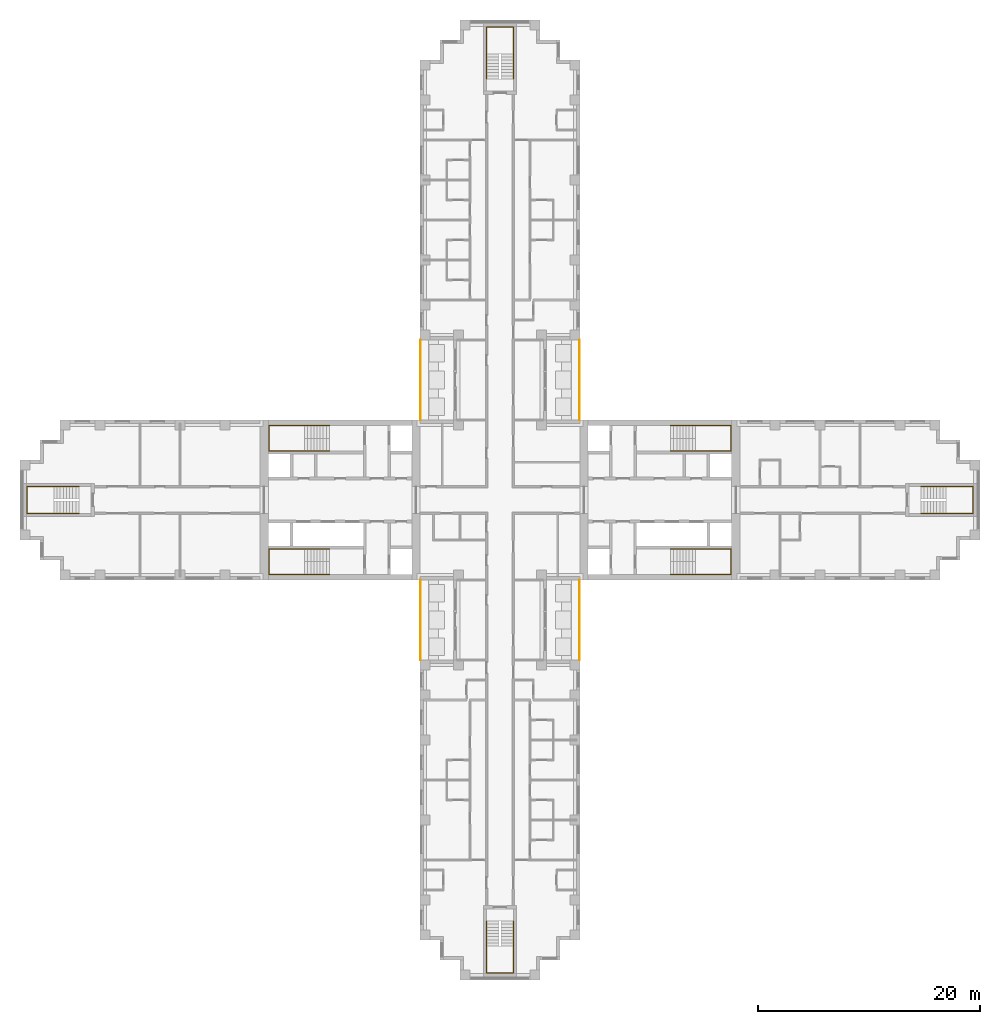
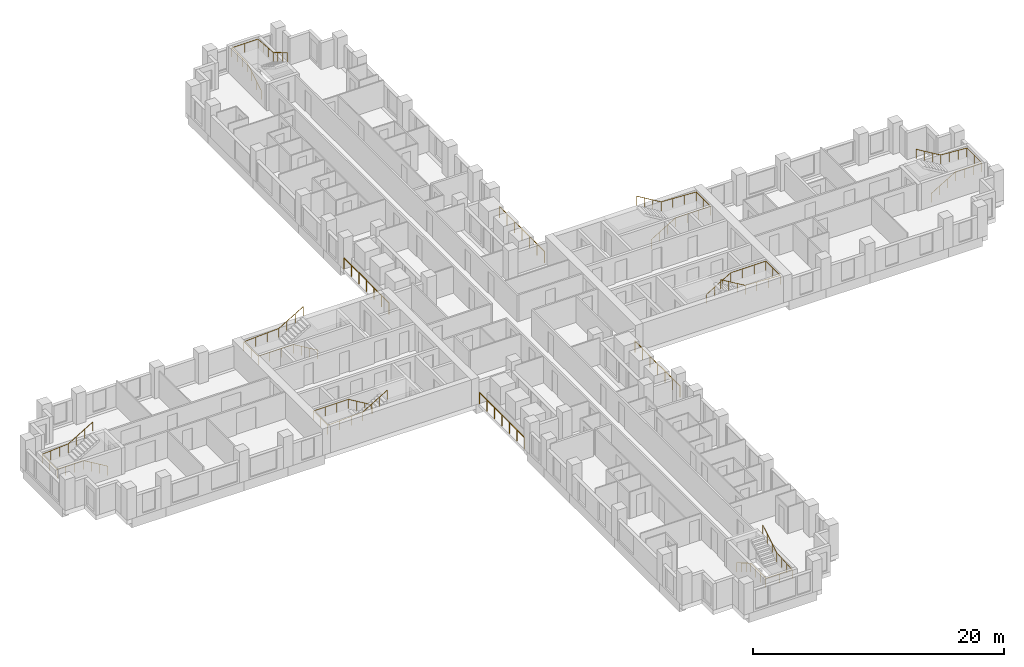
# One storey, part 14 of 15: 12 railings.
"""IFC4 building model written with IfcOpenShell, lengths in metres."""

from ifc_helpers import new_model, si_unit, direction, frame, origin, origin_2d, place, context, subcontext, project, spatial, circle, extrude, material, type_object, element, save


model = new_model("IFC4")

# Units and contexts
model_context = context("Model", 3, precision=1e-05, world=origin(), true_north=direction((0.0, 1.0)))
body_context = subcontext(model_context, "Body", "Model", "MODEL_VIEW")
ifc_project = project(units=[si_unit("LENGTHUNIT", "METRE"), si_unit("AREAUNIT", "SQUARE_METRE"), si_unit("VOLUMEUNIT", "CUBIC_METRE"), si_unit("PLANEANGLEUNIT", "RADIAN"), si_unit("MASSUNIT", "GRAM", prefix="KILO")], contexts=[model_context])

# Site, building, storey
site_placement = place(None, origin())
site = spatial("IfcSite", under=ifc_project, at=site_placement, CompositionType="ELEMENT")
building_placement = place(site_placement, origin())
building = spatial("IfcBuilding", under=site, at=building_placement, Name="Fustian Cross Tower", CompositionType="ELEMENT")
storey_placement = place(building_placement, frame((0.0, 0.0, 29.699951171875)))
storey = spatial("IfcBuildingStorey", under=building, at=storey_placement, Name="L08", CompositionType="ELEMENT", Elevation=29.699951171875)

# Railings
ifc_material_1 = material(Name="Stainless steel and glass", Category="steel")
railing_type_1 = type_object("IfcRailingType", Name="GR1 BALCONY GUARD 1100", PredefinedType="GUARDRAIL", material=ifc_material_1)
for number, where, name in (
    (1, (7.14990234375, 7.199951171875, 0.0), "Balcony guard"),
    (2, (-7.14990234375, 7.199951171875, 0.0), "Balcony guard"),
    (3, (7.14990234375, -14.39990234375, 0.0), "Balcony guard"),
    (4, (-7.14990234375, -14.39990234375, 0.0), "Balcony guard"),
):
    element("IfcRailing", number, at=place(storey_placement, frame(where)), inside=storey, type_object=railing_type_1, Name=name, PredefinedType="GUARDRAIL", context=body_context, shape_type="SweptSolid", body=[
        extrude(circle(Radius=0.02392578125, at=origin_2d()), frame((0.0, 0.0, 1.076171875), z_axis=(0.0, 1.0, 0.0), x_axis=(-1.0, 0.0, 0.0)), (0.0, 0.0, 1.0), 7.199951171875),
        extrude(circle(Radius=0.02099609375, at=origin_2d()), origin(), (0.0, 0.0, 1.0), 1.052001953125),
        extrude(circle(Radius=0.02099609375, at=origin_2d()), frame((0.0, 1.199951171875, 0.0)), (0.0, 0.0, 1.0), 1.052001953125),
        extrude(circle(Radius=0.02099609375, at=origin_2d()), frame((0.0, 2.39990234375, 0.0)), (0.0, 0.0, 1.0), 1.052001953125),
        extrude(circle(Radius=0.02099609375, at=origin_2d()), frame((0.0, 3.60009765625, 0.0)), (0.0, 0.0, 1.0), 1.052001953125),
        extrude(circle(Radius=0.02099609375, at=origin_2d()), frame((0.0, 4.800048828125, 0.0)), (0.0, 0.0, 1.0), 1.052001953125),
        extrude(circle(Radius=0.02099609375, at=origin_2d()), frame((0.0, 6.0, 0.0)), (0.0, 0.0, 1.0), 1.052001953125),
        extrude(circle(Radius=0.02099609375, at=origin_2d()), frame((0.0, 7.199951171875, 0.0)), (0.0, 0.0, 1.0), 1.052001953125),
    ])
ifc_material_2 = material(Name="Stainless steel", Category="steel")
railing_type_2 = type_object("IfcRailingType", Name="STAIR HANDRAIL", PredefinedType="HANDRAIL", material=ifc_material_2)
railing_1_placement = place(storey_placement, frame((15.35009765625, 4.39990234375, 0.166748046875)))
element("IfcRailing", 5, at=railing_1_placement, inside=storey, type_object=railing_type_2, Name="Stair ST1 handrail 1", PredefinedType="HANDRAIL", context=body_context, shape_type="SweptSolid", body=[
    extrude(circle(Radius=0.02490234375, at=origin_2d()), frame((0.0, 0.0, 0.875), z_axis=(0.859305625298, 0.0, 0.511462454469), x_axis=(0.0, 1.0, 0.0)), (0.0, 0.0, 1.0), 2.606689453125),
    extrude(circle(Radius=0.02490234375, at=origin_2d()), frame((2.239990234375, 0.0, 2.2080078125), z_axis=(1.0, 0.0, 0.0), x_axis=(0.0, 1.0, 0.0)), (0.0, 0.0, 1.0), 3.219970703125),
    extrude(circle(Radius=0.02490234375, at=origin_2d()), frame((5.4599609375, 0.0, 2.2080078125), z_axis=(0.0, 1.0, 0.0), x_axis=(-1.0, 0.0, 0.0)), (0.0, 0.0, 1.0), 2.300048828125),
    extrude(circle(Radius=0.02490234375, at=origin_2d()), frame((5.4599609375, 2.300048828125, 2.2080078125), z_axis=(-0.998661817807, 0.0, 0.051716280352), x_axis=(0.0, -1.0, 0.0)), (0.0, 0.0, 1.0), 3.224365234375),
    extrude(circle(Radius=0.02490234375, at=origin_2d()), frame((2.239990234375, 2.300048828125, 2.375), z_axis=(-0.859305625298, 0.0, 0.511462454469), x_axis=(0.0, -1.0, 0.0)), (0.0, 0.0, 1.0), 2.606689453125),
    extrude(circle(Radius=0.02001953125, at=origin_2d()), origin(), (0.0, 0.0, 1.0), 0.849853515625),
    extrude(circle(Radius=0.02001953125, at=origin_2d()), frame((0.74658203125, 0.0, 0.4443359375)), (0.0, 0.0, 1.0), 0.849853515625),
    extrude(circle(Radius=0.02001953125, at=origin_2d()), frame((1.493408203125, 0.0, 0.888916015625)), (0.0, 0.0, 1.0), 0.849853515625),
    extrude(circle(Radius=0.02001953125, at=origin_2d()), frame((2.239990234375, 0.0, 1.333251953125)), (0.0, 0.0, 1.0), 0.849853515625),
    extrude(circle(Radius=0.02001953125, at=origin_2d()), frame((3.313232421875, 0.0, 1.333251953125)), (0.0, 0.0, 1.0), 0.849853515625),
    extrude(circle(Radius=0.02001953125, at=origin_2d()), frame((4.38671875, 0.0, 1.333251953125)), (0.0, 0.0, 1.0), 0.849853515625),
    extrude(circle(Radius=0.02001953125, at=origin_2d()), frame((5.4599609375, 0.0, 1.333251953125)), (0.0, 0.0, 1.0), 0.849853515625),
    extrude(circle(Radius=0.02001953125, at=origin_2d()), frame((5.4599609375, 1.14990234375, 1.333251953125)), (0.0, 0.0, 1.0), 0.849853515625),
    extrude(circle(Radius=0.02001953125, at=origin_2d()), frame((5.4599609375, 2.300048828125, 1.333251953125)), (0.0, 0.0, 1.0), 0.849853515625),
    extrude(circle(Radius=0.02001953125, at=origin_2d()), frame((4.38671875, 2.300048828125, 1.388916015625)), (0.0, 0.0, 1.0), 0.849853515625),
    extrude(circle(Radius=0.02001953125, at=origin_2d()), frame((3.313232421875, 2.300048828125, 1.4443359375)), (0.0, 0.0, 1.0), 0.849853515625),
    extrude(circle(Radius=0.02001953125, at=origin_2d()), frame((2.239990234375, 2.300048828125, 1.5)), (0.0, 0.0, 1.0), 0.849853515625),
    extrude(circle(Radius=0.02001953125, at=origin_2d()), frame((1.493408203125, 2.300048828125, 1.9443359375)), (0.0, 0.0, 1.0), 0.849853515625),
    extrude(circle(Radius=0.02001953125, at=origin_2d()), frame((0.74658203125, 2.300048828125, 2.388916015625)), (0.0, 0.0, 1.0), 0.849853515625),
    extrude(circle(Radius=0.02001953125, at=origin_2d()), frame((0.0, 2.300048828125, 2.833251953125)), (0.0, 0.0, 1.0), 0.849853515625),
])
railing_2_placement = place(storey_placement, frame((15.35009765625, -4.39990234375, 0.166748046875)))
element("IfcRailing", 6, at=railing_2_placement, inside=storey, type_object=railing_type_2, Name="Stair ST2 handrail 1", PredefinedType="HANDRAIL", context=body_context, shape_type="SweptSolid", body=[
    extrude(circle(Radius=0.02490234375, at=origin_2d()), frame((0.0, 0.0, 0.875), z_axis=(0.859305625298, 0.0, 0.511462454469), x_axis=(0.0, 1.0, 0.0)), (0.0, 0.0, 1.0), 2.606689453125),
    extrude(circle(Radius=0.02490234375, at=origin_2d()), frame((2.239990234375, 0.0, 2.2080078125), z_axis=(1.0, 0.0, 0.0), x_axis=(0.0, 1.0, 0.0)), (0.0, 0.0, 1.0), 3.219970703125),
    extrude(circle(Radius=0.02490234375, at=origin_2d()), frame((5.4599609375, 0.0, 2.2080078125), z_axis=(0.0, -1.0, 0.0), x_axis=(1.0, 0.0, 0.0)), (0.0, 0.0, 1.0), 2.300048828125),
    extrude(circle(Radius=0.02490234375, at=origin_2d()), frame((5.4599609375, -2.300048828125, 2.2080078125), z_axis=(-0.998661817807, 0.0, 0.051716280352), x_axis=(0.0, -1.0, 0.0)), (0.0, 0.0, 1.0), 3.224365234375),
    extrude(circle(Radius=0.02490234375, at=origin_2d()), frame((2.239990234375, -2.300048828125, 2.375), z_axis=(-0.859305625298, 0.0, 0.511462454469), x_axis=(0.0, -1.0, 0.0)), (0.0, 0.0, 1.0), 2.606689453125),
    extrude(circle(Radius=0.02001953125, at=origin_2d()), origin(), (0.0, 0.0, 1.0), 0.849853515625),
    extrude(circle(Radius=0.02001953125, at=origin_2d()), frame((0.74658203125, 0.0, 0.4443359375)), (0.0, 0.0, 1.0), 0.849853515625),
    extrude(circle(Radius=0.02001953125, at=origin_2d()), frame((1.493408203125, 0.0, 0.888916015625)), (0.0, 0.0, 1.0), 0.849853515625),
    extrude(circle(Radius=0.02001953125, at=origin_2d()), frame((2.239990234375, 0.0, 1.333251953125)), (0.0, 0.0, 1.0), 0.849853515625),
    extrude(circle(Radius=0.02001953125, at=origin_2d()), frame((3.313232421875, 0.0, 1.333251953125)), (0.0, 0.0, 1.0), 0.849853515625),
    extrude(circle(Radius=0.02001953125, at=origin_2d()), frame((4.38671875, 0.0, 1.333251953125)), (0.0, 0.0, 1.0), 0.849853515625),
    extrude(circle(Radius=0.02001953125, at=origin_2d()), frame((5.4599609375, 0.0, 1.333251953125)), (0.0, 0.0, 1.0), 0.849853515625),
    extrude(circle(Radius=0.02001953125, at=origin_2d()), frame((5.4599609375, -1.14990234375, 1.333251953125)), (0.0, 0.0, 1.0), 0.849853515625),
    extrude(circle(Radius=0.02001953125, at=origin_2d()), frame((5.4599609375, -2.300048828125, 1.333251953125)), (0.0, 0.0, 1.0), 0.849853515625),
    extrude(circle(Radius=0.02001953125, at=origin_2d()), frame((4.38671875, -2.300048828125, 1.388916015625)), (0.0, 0.0, 1.0), 0.849853515625),
    extrude(circle(Radius=0.02001953125, at=origin_2d()), frame((3.313232421875, -2.300048828125, 1.4443359375)), (0.0, 0.0, 1.0), 0.849853515625),
    extrude(circle(Radius=0.02001953125, at=origin_2d()), frame((2.239990234375, -2.300048828125, 1.5)), (0.0, 0.0, 1.0), 0.849853515625),
    extrude(circle(Radius=0.02001953125, at=origin_2d()), frame((1.493408203125, -2.300048828125, 1.9443359375)), (0.0, 0.0, 1.0), 0.849853515625),
    extrude(circle(Radius=0.02001953125, at=origin_2d()), frame((0.74658203125, -2.300048828125, 2.388916015625)), (0.0, 0.0, 1.0), 0.849853515625),
    extrude(circle(Radius=0.02001953125, at=origin_2d()), frame((0.0, -2.300048828125, 2.833251953125)), (0.0, 0.0, 1.0), 0.849853515625),
])
railing_3_placement = place(storey_placement, frame((-15.35009765625, 4.39990234375, 0.166748046875)))
element("IfcRailing", 7, at=railing_3_placement, inside=storey, type_object=railing_type_2, Name="Stair ST3 handrail 1", PredefinedType="HANDRAIL", context=body_context, shape_type="SweptSolid", body=[
    extrude(circle(Radius=0.02490234375, at=origin_2d()), frame((0.0, 0.0, 0.875), z_axis=(-0.859305625298, 0.0, 0.511462454469), x_axis=(0.0, -1.0, 0.0)), (0.0, 0.0, 1.0), 2.606689453125),
    extrude(circle(Radius=0.02490234375, at=origin_2d()), frame((-2.239990234375, 0.0, 2.2080078125), z_axis=(-1.0, 0.0, 0.0), x_axis=(0.0, -1.0, 0.0)), (0.0, 0.0, 1.0), 3.219970703125),
    extrude(circle(Radius=0.02490234375, at=origin_2d()), frame((-5.4599609375, 0.0, 2.2080078125), z_axis=(0.0, 1.0, 0.0), x_axis=(-1.0, 0.0, 0.0)), (0.0, 0.0, 1.0), 2.300048828125),
    extrude(circle(Radius=0.02490234375, at=origin_2d()), frame((-5.4599609375, 2.300048828125, 2.2080078125), z_axis=(0.998661817807, 0.0, 0.051716280352), x_axis=(0.0, 1.0, 0.0)), (0.0, 0.0, 1.0), 3.224365234375),
    extrude(circle(Radius=0.02490234375, at=origin_2d()), frame((-2.239990234375, 2.300048828125, 2.375), z_axis=(0.859305625298, 0.0, 0.511462454469), x_axis=(0.0, 1.0, 0.0)), (0.0, 0.0, 1.0), 2.606689453125),
    extrude(circle(Radius=0.02001953125, at=origin_2d()), origin(), (0.0, 0.0, 1.0), 0.849853515625),
    extrude(circle(Radius=0.02001953125, at=origin_2d()), frame((-0.74658203125, 0.0, 0.4443359375)), (0.0, 0.0, 1.0), 0.849853515625),
    extrude(circle(Radius=0.02001953125, at=origin_2d()), frame((-1.493408203125, 0.0, 0.888916015625)), (0.0, 0.0, 1.0), 0.849853515625),
    extrude(circle(Radius=0.02001953125, at=origin_2d()), frame((-2.239990234375, 0.0, 1.333251953125)), (0.0, 0.0, 1.0), 0.849853515625),
    extrude(circle(Radius=0.02001953125, at=origin_2d()), frame((-3.313232421875, 0.0, 1.333251953125)), (0.0, 0.0, 1.0), 0.849853515625),
    extrude(circle(Radius=0.02001953125, at=origin_2d()), frame((-4.38671875, 0.0, 1.333251953125)), (0.0, 0.0, 1.0), 0.849853515625),
    extrude(circle(Radius=0.02001953125, at=origin_2d()), frame((-5.4599609375, 0.0, 1.333251953125)), (0.0, 0.0, 1.0), 0.849853515625),
    extrude(circle(Radius=0.02001953125, at=origin_2d()), frame((-5.4599609375, 1.14990234375, 1.333251953125)), (0.0, 0.0, 1.0), 0.849853515625),
    extrude(circle(Radius=0.02001953125, at=origin_2d()), frame((-5.4599609375, 2.300048828125, 1.333251953125)), (0.0, 0.0, 1.0), 0.849853515625),
    extrude(circle(Radius=0.02001953125, at=origin_2d()), frame((-4.38671875, 2.300048828125, 1.388916015625)), (0.0, 0.0, 1.0), 0.849853515625),
    extrude(circle(Radius=0.02001953125, at=origin_2d()), frame((-3.313232421875, 2.300048828125, 1.4443359375)), (0.0, 0.0, 1.0), 0.849853515625),
    extrude(circle(Radius=0.02001953125, at=origin_2d()), frame((-2.239990234375, 2.300048828125, 1.5)), (0.0, 0.0, 1.0), 0.849853515625),
    extrude(circle(Radius=0.02001953125, at=origin_2d()), frame((-1.493408203125, 2.300048828125, 1.9443359375)), (0.0, 0.0, 1.0), 0.849853515625),
    extrude(circle(Radius=0.02001953125, at=origin_2d()), frame((-0.74658203125, 2.300048828125, 2.388916015625)), (0.0, 0.0, 1.0), 0.849853515625),
    extrude(circle(Radius=0.02001953125, at=origin_2d()), frame((0.0, 2.300048828125, 2.833251953125)), (0.0, 0.0, 1.0), 0.849853515625),
])
railing_4_placement = place(storey_placement, frame((-15.35009765625, -4.39990234375, 0.166748046875)))
element("IfcRailing", 8, at=railing_4_placement, inside=storey, type_object=railing_type_2, Name="Stair ST4 handrail 1", PredefinedType="HANDRAIL", context=body_context, shape_type="SweptSolid", body=[
    extrude(circle(Radius=0.02490234375, at=origin_2d()), frame((0.0, 0.0, 0.875), z_axis=(-0.859305625298, 0.0, 0.511462454469), x_axis=(0.0, -1.0, 0.0)), (0.0, 0.0, 1.0), 2.606689453125),
    extrude(circle(Radius=0.02490234375, at=origin_2d()), frame((-2.239990234375, 0.0, 2.2080078125), z_axis=(-1.0, 0.0, 0.0), x_axis=(0.0, -1.0, 0.0)), (0.0, 0.0, 1.0), 3.219970703125),
    extrude(circle(Radius=0.02490234375, at=origin_2d()), frame((-5.4599609375, 0.0, 2.2080078125), z_axis=(0.0, -1.0, 0.0), x_axis=(1.0, 0.0, 0.0)), (0.0, 0.0, 1.0), 2.300048828125),
    extrude(circle(Radius=0.02490234375, at=origin_2d()), frame((-5.4599609375, -2.300048828125, 2.2080078125), z_axis=(0.998661817807, 0.0, 0.051716280352), x_axis=(0.0, 1.0, 0.0)), (0.0, 0.0, 1.0), 3.224365234375),
    extrude(circle(Radius=0.02490234375, at=origin_2d()), frame((-2.239990234375, -2.300048828125, 2.375), z_axis=(0.859305625298, 0.0, 0.511462454469), x_axis=(0.0, 1.0, 0.0)), (0.0, 0.0, 1.0), 2.606689453125),
    extrude(circle(Radius=0.02001953125, at=origin_2d()), origin(), (0.0, 0.0, 1.0), 0.849853515625),
    extrude(circle(Radius=0.02001953125, at=origin_2d()), frame((-0.74658203125, 0.0, 0.4443359375)), (0.0, 0.0, 1.0), 0.849853515625),
    extrude(circle(Radius=0.02001953125, at=origin_2d()), frame((-1.493408203125, 0.0, 0.888916015625)), (0.0, 0.0, 1.0), 0.849853515625),
    extrude(circle(Radius=0.02001953125, at=origin_2d()), frame((-2.239990234375, 0.0, 1.333251953125)), (0.0, 0.0, 1.0), 0.849853515625),
    extrude(circle(Radius=0.02001953125, at=origin_2d()), frame((-3.313232421875, 0.0, 1.333251953125)), (0.0, 0.0, 1.0), 0.849853515625),
    extrude(circle(Radius=0.02001953125, at=origin_2d()), frame((-4.38671875, 0.0, 1.333251953125)), (0.0, 0.0, 1.0), 0.849853515625),
    extrude(circle(Radius=0.02001953125, at=origin_2d()), frame((-5.4599609375, 0.0, 1.333251953125)), (0.0, 0.0, 1.0), 0.849853515625),
    extrude(circle(Radius=0.02001953125, at=origin_2d()), frame((-5.4599609375, -1.14990234375, 1.333251953125)), (0.0, 0.0, 1.0), 0.849853515625),
    extrude(circle(Radius=0.02001953125, at=origin_2d()), frame((-5.4599609375, -2.300048828125, 1.333251953125)), (0.0, 0.0, 1.0), 0.849853515625),
    extrude(circle(Radius=0.02001953125, at=origin_2d()), frame((-4.38671875, -2.300048828125, 1.388916015625)), (0.0, 0.0, 1.0), 0.849853515625),
    extrude(circle(Radius=0.02001953125, at=origin_2d()), frame((-3.313232421875, -2.300048828125, 1.4443359375)), (0.0, 0.0, 1.0), 0.849853515625),
    extrude(circle(Radius=0.02001953125, at=origin_2d()), frame((-2.239990234375, -2.300048828125, 1.5)), (0.0, 0.0, 1.0), 0.849853515625),
    extrude(circle(Radius=0.02001953125, at=origin_2d()), frame((-1.493408203125, -2.300048828125, 1.9443359375)), (0.0, 0.0, 1.0), 0.849853515625),
    extrude(circle(Radius=0.02001953125, at=origin_2d()), frame((-0.74658203125, -2.300048828125, 2.388916015625)), (0.0, 0.0, 1.0), 0.849853515625),
    extrude(circle(Radius=0.02001953125, at=origin_2d()), frame((0.0, -2.300048828125, 2.833251953125)), (0.0, 0.0, 1.0), 0.849853515625),
])
railing_5_placement = place(storey_placement, frame((-1.199951171875, 37.89990234375, 0.166748046875)))
element("IfcRailing", 9, at=railing_5_placement, inside=storey, type_object=railing_type_2, Name="Stair ST5 handrail 1", PredefinedType="HANDRAIL", context=body_context, shape_type="SweptSolid", body=[
    extrude(circle(Radius=0.02490234375, at=origin_2d()), frame((0.0, 0.0, 0.875), z_axis=(0.0, 0.859305625298, 0.511462454469), x_axis=(-1.0, 0.0, 0.0)), (0.0, 0.0, 1.0), 2.606689453125),
    extrude(circle(Radius=0.02490234375, at=origin_2d()), frame((0.0, 2.239990234375, 2.2080078125), z_axis=(0.0, 1.0, 0.0), x_axis=(-1.0, 0.0, 0.0)), (0.0, 0.0, 1.0), 2.420166015625),
    extrude(circle(Radius=0.02490234375, at=origin_2d()), frame((0.0, 4.66015625, 2.2080078125), z_axis=(1.0, 0.0, 0.0), x_axis=(0.0, 1.0, 0.0)), (0.0, 0.0, 1.0), 2.39990234375),
    extrude(circle(Radius=0.02490234375, at=origin_2d()), frame((2.39990234375, 4.66015625, 2.2080078125), z_axis=(0.0, -0.997634852044, 0.068736467663), x_axis=(1.0, 0.0, 0.0)), (0.0, 0.0, 1.0), 2.426025390625),
    extrude(circle(Radius=0.02490234375, at=origin_2d()), frame((2.39990234375, 2.239990234375, 2.375), z_axis=(0.0, -0.859305625298, 0.511462454469), x_axis=(1.0, 0.0, 0.0)), (0.0, 0.0, 1.0), 2.606689453125),
    extrude(circle(Radius=0.02001953125, at=origin_2d()), origin(), (0.0, 0.0, 1.0), 0.849853515625),
    extrude(circle(Radius=0.02001953125, at=origin_2d()), frame((0.0, 0.74658203125, 0.4443359375)), (0.0, 0.0, 1.0), 0.849853515625),
    extrude(circle(Radius=0.02001953125, at=origin_2d()), frame((0.0, 1.493408203125, 0.888916015625)), (0.0, 0.0, 1.0), 0.849853515625),
    extrude(circle(Radius=0.02001953125, at=origin_2d()), frame((0.0, 2.239990234375, 1.333251953125)), (0.0, 0.0, 1.0), 0.849853515625),
    extrude(circle(Radius=0.02001953125, at=origin_2d()), frame((0.0, 3.046630859375, 1.333251953125)), (0.0, 0.0, 1.0), 0.849853515625),
    extrude(circle(Radius=0.02001953125, at=origin_2d()), frame((0.0, 3.853515625, 1.333251953125)), (0.0, 0.0, 1.0), 0.849853515625),
    extrude(circle(Radius=0.02001953125, at=origin_2d()), frame((0.0, 4.66015625, 1.333251953125)), (0.0, 0.0, 1.0), 0.849853515625),
    extrude(circle(Radius=0.02001953125, at=origin_2d()), frame((1.199951171875, 4.66015625, 1.333251953125)), (0.0, 0.0, 1.0), 0.849853515625),
    extrude(circle(Radius=0.02001953125, at=origin_2d()), frame((2.39990234375, 4.66015625, 1.333251953125)), (0.0, 0.0, 1.0), 0.849853515625),
    extrude(circle(Radius=0.02001953125, at=origin_2d()), frame((2.39990234375, 3.853515625, 1.388916015625)), (0.0, 0.0, 1.0), 0.849853515625),
    extrude(circle(Radius=0.02001953125, at=origin_2d()), frame((2.39990234375, 3.046630859375, 1.4443359375)), (0.0, 0.0, 1.0), 0.849853515625),
    extrude(circle(Radius=0.02001953125, at=origin_2d()), frame((2.39990234375, 2.239990234375, 1.5)), (0.0, 0.0, 1.0), 0.849853515625),
    extrude(circle(Radius=0.02001953125, at=origin_2d()), frame((2.39990234375, 1.493408203125, 1.9443359375)), (0.0, 0.0, 1.0), 0.849853515625),
    extrude(circle(Radius=0.02001953125, at=origin_2d()), frame((2.39990234375, 0.74658203125, 2.388916015625)), (0.0, 0.0, 1.0), 0.849853515625),
    extrude(circle(Radius=0.02001953125, at=origin_2d()), frame((2.39990234375, 0.0, 2.833251953125)), (0.0, 0.0, 1.0), 0.849853515625),
])
railing_6_placement = place(storey_placement, frame((-1.199951171875, -37.89990234375, 0.166748046875)))
element("IfcRailing", 10, at=railing_6_placement, inside=storey, type_object=railing_type_2, Name="Stair ST6 handrail 1", PredefinedType="HANDRAIL", context=body_context, shape_type="SweptSolid", body=[
    extrude(circle(Radius=0.02490234375, at=origin_2d()), frame((0.0, 0.0, 0.875), z_axis=(0.0, -0.859305625298, 0.511462454469), x_axis=(1.0, 0.0, 0.0)), (0.0, 0.0, 1.0), 2.606689453125),
    extrude(circle(Radius=0.02490234375, at=origin_2d()), frame((0.0, -2.239990234375, 2.2080078125), z_axis=(0.0, -1.0, 0.0), x_axis=(1.0, 0.0, 0.0)), (0.0, 0.0, 1.0), 2.420166015625),
    extrude(circle(Radius=0.02490234375, at=origin_2d()), frame((0.0, -4.66015625, 2.2080078125), z_axis=(1.0, 0.0, 0.0), x_axis=(0.0, 1.0, 0.0)), (0.0, 0.0, 1.0), 2.39990234375),
    extrude(circle(Radius=0.02490234375, at=origin_2d()), frame((2.39990234375, -4.66015625, 2.2080078125), z_axis=(0.0, 0.997634852044, 0.068736467663), x_axis=(-1.0, 0.0, 0.0)), (0.0, 0.0, 1.0), 2.426025390625),
    extrude(circle(Radius=0.02490234375, at=origin_2d()), frame((2.39990234375, -2.239990234375, 2.375), z_axis=(0.0, 0.859305625298, 0.511462454469), x_axis=(-1.0, 0.0, 0.0)), (0.0, 0.0, 1.0), 2.606689453125),
    extrude(circle(Radius=0.02001953125, at=origin_2d()), origin(), (0.0, 0.0, 1.0), 0.849853515625),
    extrude(circle(Radius=0.02001953125, at=origin_2d()), frame((0.0, -0.74658203125, 0.4443359375)), (0.0, 0.0, 1.0), 0.849853515625),
    extrude(circle(Radius=0.02001953125, at=origin_2d()), frame((0.0, -1.493408203125, 0.888916015625)), (0.0, 0.0, 1.0), 0.849853515625),
    extrude(circle(Radius=0.02001953125, at=origin_2d()), frame((0.0, -2.239990234375, 1.333251953125)), (0.0, 0.0, 1.0), 0.849853515625),
    extrude(circle(Radius=0.02001953125, at=origin_2d()), frame((0.0, -3.046630859375, 1.333251953125)), (0.0, 0.0, 1.0), 0.849853515625),
    extrude(circle(Radius=0.02001953125, at=origin_2d()), frame((0.0, -3.853515625, 1.333251953125)), (0.0, 0.0, 1.0), 0.849853515625),
    extrude(circle(Radius=0.02001953125, at=origin_2d()), frame((0.0, -4.66015625, 1.333251953125)), (0.0, 0.0, 1.0), 0.849853515625),
    extrude(circle(Radius=0.02001953125, at=origin_2d()), frame((1.199951171875, -4.66015625, 1.333251953125)), (0.0, 0.0, 1.0), 0.849853515625),
    extrude(circle(Radius=0.02001953125, at=origin_2d()), frame((2.39990234375, -4.66015625, 1.333251953125)), (0.0, 0.0, 1.0), 0.849853515625),
    extrude(circle(Radius=0.02001953125, at=origin_2d()), frame((2.39990234375, -3.853515625, 1.388916015625)), (0.0, 0.0, 1.0), 0.849853515625),
    extrude(circle(Radius=0.02001953125, at=origin_2d()), frame((2.39990234375, -3.046630859375, 1.4443359375)), (0.0, 0.0, 1.0), 0.849853515625),
    extrude(circle(Radius=0.02001953125, at=origin_2d()), frame((2.39990234375, -2.239990234375, 1.5)), (0.0, 0.0, 1.0), 0.849853515625),
    extrude(circle(Radius=0.02001953125, at=origin_2d()), frame((2.39990234375, -1.493408203125, 1.9443359375)), (0.0, 0.0, 1.0), 0.849853515625),
    extrude(circle(Radius=0.02001953125, at=origin_2d()), frame((2.39990234375, -0.74658203125, 2.388916015625)), (0.0, 0.0, 1.0), 0.849853515625),
    extrude(circle(Radius=0.02001953125, at=origin_2d()), frame((2.39990234375, 0.0, 2.833251953125)), (0.0, 0.0, 1.0), 0.849853515625),
])
railing_7_placement = place(storey_placement, frame((37.89990234375, -1.199951171875, 0.166748046875)))
element("IfcRailing", 11, at=railing_7_placement, inside=storey, type_object=railing_type_2, Name="Stair ST8 handrail 1", PredefinedType="HANDRAIL", context=body_context, shape_type="SweptSolid", body=[
    extrude(circle(Radius=0.02490234375, at=origin_2d()), frame((0.0, 0.0, 0.875), z_axis=(0.859305625298, 0.0, 0.511462454469), x_axis=(0.0, 1.0, 0.0)), (0.0, 0.0, 1.0), 2.606689453125),
    extrude(circle(Radius=0.02490234375, at=origin_2d()), frame((2.239990234375, 0.0, 2.2080078125), z_axis=(1.0, 0.0, 0.0), x_axis=(0.0, 1.0, 0.0)), (0.0, 0.0, 1.0), 2.420166015625),
    extrude(circle(Radius=0.02490234375, at=origin_2d()), frame((4.66015625, 0.0, 2.2080078125), z_axis=(0.0, 1.0, 0.0), x_axis=(-1.0, 0.0, 0.0)), (0.0, 0.0, 1.0), 2.39990234375),
    extrude(circle(Radius=0.02490234375, at=origin_2d()), frame((4.66015625, 2.39990234375, 2.2080078125), z_axis=(-0.997634852044, 0.0, 0.068736467663), x_axis=(0.0, -1.0, 0.0)), (0.0, 0.0, 1.0), 2.426025390625),
    extrude(circle(Radius=0.02490234375, at=origin_2d()), frame((2.239990234375, 2.39990234375, 2.375), z_axis=(-0.859305625298, 0.0, 0.511462454469), x_axis=(0.0, -1.0, 0.0)), (0.0, 0.0, 1.0), 2.606689453125),
    extrude(circle(Radius=0.02001953125, at=origin_2d()), origin(), (0.0, 0.0, 1.0), 0.849853515625),
    extrude(circle(Radius=0.02001953125, at=origin_2d()), frame((0.74658203125, 0.0, 0.4443359375)), (0.0, 0.0, 1.0), 0.849853515625),
    extrude(circle(Radius=0.02001953125, at=origin_2d()), frame((1.493408203125, 0.0, 0.888916015625)), (0.0, 0.0, 1.0), 0.849853515625),
    extrude(circle(Radius=0.02001953125, at=origin_2d()), frame((2.239990234375, 0.0, 1.333251953125)), (0.0, 0.0, 1.0), 0.849853515625),
    extrude(circle(Radius=0.02001953125, at=origin_2d()), frame((3.046630859375, 0.0, 1.333251953125)), (0.0, 0.0, 1.0), 0.849853515625),
    extrude(circle(Radius=0.02001953125, at=origin_2d()), frame((3.853515625, 0.0, 1.333251953125)), (0.0, 0.0, 1.0), 0.849853515625),
    extrude(circle(Radius=0.02001953125, at=origin_2d()), frame((4.66015625, 0.0, 1.333251953125)), (0.0, 0.0, 1.0), 0.849853515625),
    extrude(circle(Radius=0.02001953125, at=origin_2d()), frame((4.66015625, 1.199951171875, 1.333251953125)), (0.0, 0.0, 1.0), 0.849853515625),
    extrude(circle(Radius=0.02001953125, at=origin_2d()), frame((4.66015625, 2.39990234375, 1.333251953125)), (0.0, 0.0, 1.0), 0.849853515625),
    extrude(circle(Radius=0.02001953125, at=origin_2d()), frame((3.853515625, 2.39990234375, 1.388916015625)), (0.0, 0.0, 1.0), 0.849853515625),
    extrude(circle(Radius=0.02001953125, at=origin_2d()), frame((3.046630859375, 2.39990234375, 1.4443359375)), (0.0, 0.0, 1.0), 0.849853515625),
    extrude(circle(Radius=0.02001953125, at=origin_2d()), frame((2.239990234375, 2.39990234375, 1.5)), (0.0, 0.0, 1.0), 0.849853515625),
    extrude(circle(Radius=0.02001953125, at=origin_2d()), frame((1.493408203125, 2.39990234375, 1.9443359375)), (0.0, 0.0, 1.0), 0.849853515625),
    extrude(circle(Radius=0.02001953125, at=origin_2d()), frame((0.74658203125, 2.39990234375, 2.388916015625)), (0.0, 0.0, 1.0), 0.849853515625),
    extrude(circle(Radius=0.02001953125, at=origin_2d()), frame((0.0, 2.39990234375, 2.833251953125)), (0.0, 0.0, 1.0), 0.849853515625),
])
railing_8_placement = place(storey_placement, frame((-37.89990234375, -1.199951171875, 0.166748046875)))
element("IfcRailing", 12, at=railing_8_placement, inside=storey, type_object=railing_type_2, Name="Stair ST9 handrail 1", PredefinedType="HANDRAIL", context=body_context, shape_type="SweptSolid", body=[
    extrude(circle(Radius=0.02490234375, at=origin_2d()), frame((0.0, 0.0, 0.875), z_axis=(-0.859305625298, 0.0, 0.511462454469), x_axis=(0.0, -1.0, 0.0)), (0.0, 0.0, 1.0), 2.606689453125),
    extrude(circle(Radius=0.02490234375, at=origin_2d()), frame((-2.239990234375, 0.0, 2.2080078125), z_axis=(-1.0, 0.0, 0.0), x_axis=(0.0, -1.0, 0.0)), (0.0, 0.0, 1.0), 2.420166015625),
    extrude(circle(Radius=0.02490234375, at=origin_2d()), frame((-4.66015625, 0.0, 2.2080078125), z_axis=(0.0, 1.0, 0.0), x_axis=(-1.0, 0.0, 0.0)), (0.0, 0.0, 1.0), 2.39990234375),
    extrude(circle(Radius=0.02490234375, at=origin_2d()), frame((-4.66015625, 2.39990234375, 2.2080078125), z_axis=(0.997634852044, 0.0, 0.068736467663), x_axis=(0.0, 1.0, 0.0)), (0.0, 0.0, 1.0), 2.426025390625),
    extrude(circle(Radius=0.02490234375, at=origin_2d()), frame((-2.239990234375, 2.39990234375, 2.375), z_axis=(0.859305625298, 0.0, 0.511462454469), x_axis=(0.0, 1.0, 0.0)), (0.0, 0.0, 1.0), 2.606689453125),
    extrude(circle(Radius=0.02001953125, at=origin_2d()), origin(), (0.0, 0.0, 1.0), 0.849853515625),
    extrude(circle(Radius=0.02001953125, at=origin_2d()), frame((-0.74658203125, 0.0, 0.4443359375)), (0.0, 0.0, 1.0), 0.849853515625),
    extrude(circle(Radius=0.02001953125, at=origin_2d()), frame((-1.493408203125, 0.0, 0.888916015625)), (0.0, 0.0, 1.0), 0.849853515625),
    extrude(circle(Radius=0.02001953125, at=origin_2d()), frame((-2.239990234375, 0.0, 1.333251953125)), (0.0, 0.0, 1.0), 0.849853515625),
    extrude(circle(Radius=0.02001953125, at=origin_2d()), frame((-3.046630859375, 0.0, 1.333251953125)), (0.0, 0.0, 1.0), 0.849853515625),
    extrude(circle(Radius=0.02001953125, at=origin_2d()), frame((-3.853515625, 0.0, 1.333251953125)), (0.0, 0.0, 1.0), 0.849853515625),
    extrude(circle(Radius=0.02001953125, at=origin_2d()), frame((-4.66015625, 0.0, 1.333251953125)), (0.0, 0.0, 1.0), 0.849853515625),
    extrude(circle(Radius=0.02001953125, at=origin_2d()), frame((-4.66015625, 1.199951171875, 1.333251953125)), (0.0, 0.0, 1.0), 0.849853515625),
    extrude(circle(Radius=0.02001953125, at=origin_2d()), frame((-4.66015625, 2.39990234375, 1.333251953125)), (0.0, 0.0, 1.0), 0.849853515625),
    extrude(circle(Radius=0.02001953125, at=origin_2d()), frame((-3.853515625, 2.39990234375, 1.388916015625)), (0.0, 0.0, 1.0), 0.849853515625),
    extrude(circle(Radius=0.02001953125, at=origin_2d()), frame((-3.046630859375, 2.39990234375, 1.4443359375)), (0.0, 0.0, 1.0), 0.849853515625),
    extrude(circle(Radius=0.02001953125, at=origin_2d()), frame((-2.239990234375, 2.39990234375, 1.5)), (0.0, 0.0, 1.0), 0.849853515625),
    extrude(circle(Radius=0.02001953125, at=origin_2d()), frame((-1.493408203125, 2.39990234375, 1.9443359375)), (0.0, 0.0, 1.0), 0.849853515625),
    extrude(circle(Radius=0.02001953125, at=origin_2d()), frame((-0.74658203125, 2.39990234375, 2.388916015625)), (0.0, 0.0, 1.0), 0.849853515625),
    extrude(circle(Radius=0.02001953125, at=origin_2d()), frame((0.0, 2.39990234375, 2.833251953125)), (0.0, 0.0, 1.0), 0.849853515625),
])

save(model, "model.ifc")
